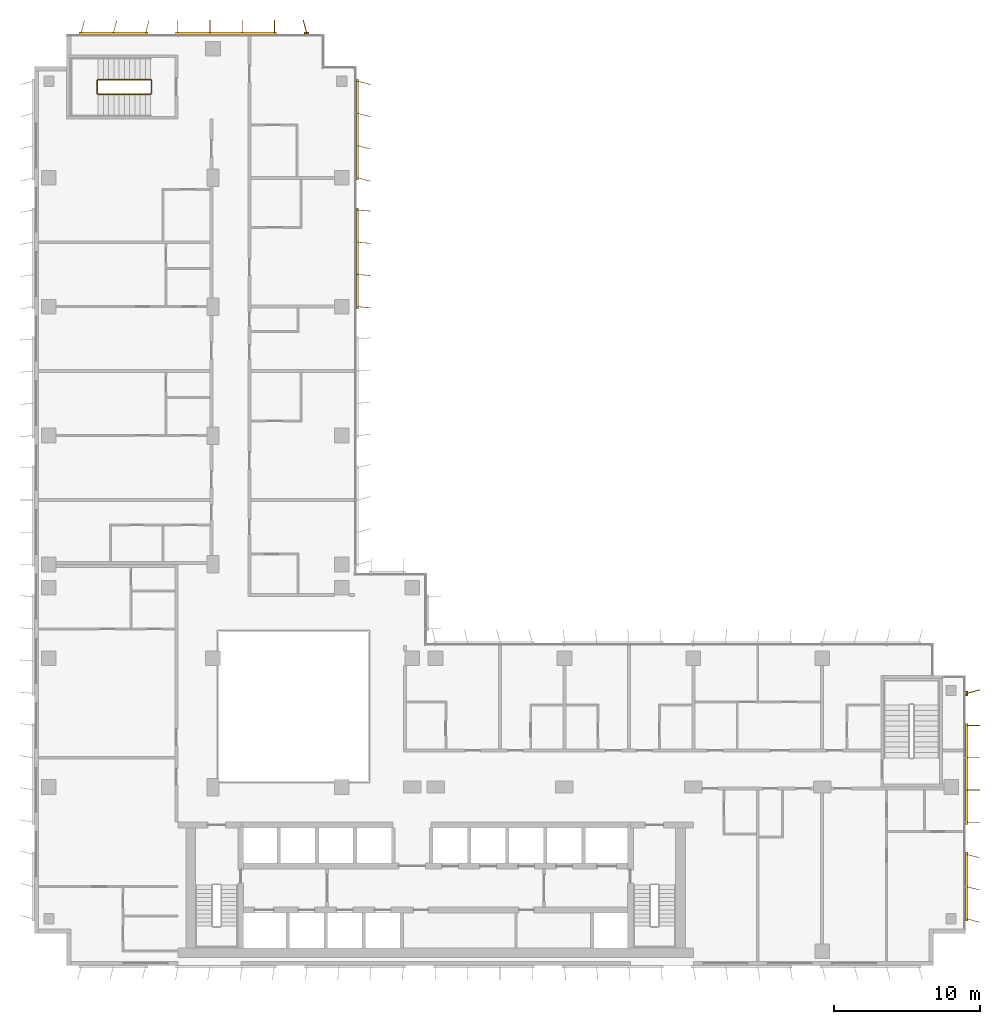
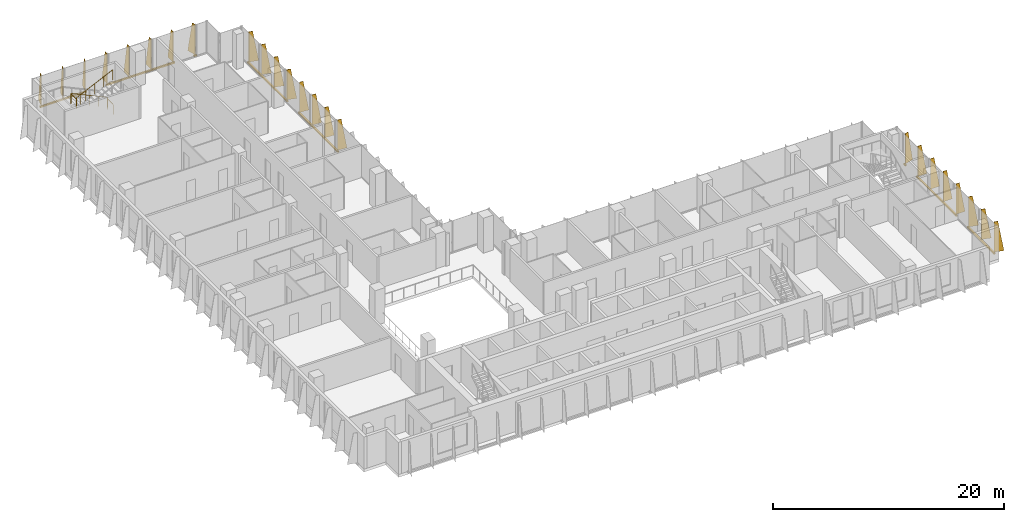
# One storey, part 21 of 21: 8 shading devices, 1 railing.
"""IFC4 building model written with IfcOpenShell, lengths in metres."""

from ifc_helpers import new_model, si_unit, direction, frame, origin, origin_2d, place, context, subcontext, project, spatial, polyline, rectangle, circle, outline, extrude, source, transform, mapped, material, layer, layer_set, type_object, element, save


model = new_model("IFC4")

# Units and contexts
model_context = context("Model", 3, precision=1e-05, world=origin(), true_north=direction((0.0, 1.0)))
body_context = subcontext(model_context, "Body", "Model", "MODEL_VIEW")
ifc_project = project(units=[si_unit("LENGTHUNIT", "METRE"), si_unit("AREAUNIT", "SQUARE_METRE"), si_unit("VOLUMEUNIT", "CUBIC_METRE"), si_unit("PLANEANGLEUNIT", "RADIAN"), si_unit("MASSUNIT", "GRAM", prefix="KILO")], contexts=[model_context])

# Site, building, storey
site_placement = place(None, origin())
site = spatial("IfcSite", under=ifc_project, at=site_placement, CompositionType="ELEMENT")
building_placement = place(site_placement, origin())
building = spatial("IfcBuilding", under=site, at=building_placement, Name="Kemantara Hotel Tower", CompositionType="ELEMENT")
storey_placement = place(building_placement, frame((0.0, 0.0, 208.0)))
storey = spatial("IfcBuildingStorey", under=building, at=storey_placement, Name="L51", CompositionType="ELEMENT", Elevation=208.0)

# Railing
ifc_material_1 = material(Name="Stainless steel balustrade", Category="steel")
railing_type = type_object("IfcRailingType", Name="Stair guard 1100 mm", PredefinedType="GUARDRAIL", material=ifc_material_1)
railing_placement = place(storey_placement, frame((7.949951171875, 59.5, 3.699951171875)))
element("IfcRailing", 1, at=railing_placement, inside=storey, type_object=railing_type, Name="L51 ST4 stair guard 1", PredefinedType="GUARDRAIL", context=body_context, shape_type="SweptSolid", body=[
    extrude(circle(Radius=0.02392578125, at=origin_2d()), frame((0.0, 0.0, 1.076171875), z_axis=(-0.905994681025, 0.0, -0.423289071386), x_axis=(0.0, -1.0, 0.0)), (0.0, 0.0, 1.0), 3.973388671875),
    extrude(circle(Radius=0.02392578125, at=origin_2d()), frame((-3.599853515625, 0.0, -0.60595703125), z_axis=(-0.274582412415, 0.274582412415, -0.921525364591), x_axis=(-0.707106781187, -0.707106781187, 0.0)), (0.0, 0.0, 1.0), 0.182373046875),
    extrude(circle(Radius=0.02392578125, at=origin_2d()), frame((-3.64990234375, 0.050048828125, -0.77392578125), z_axis=(0.0, 1.0, 0.0), x_axis=(-1.0, 0.0, 0.0)), (0.0, 0.0, 1.0), 0.89990234375),
    extrude(circle(Radius=0.02392578125, at=origin_2d()), frame((-3.64990234375, 0.949951171875, -0.77392578125), z_axis=(0.707106781187, 0.707106781187, 0.0), x_axis=(-0.707106781187, 0.707106781187, 0.0)), (0.0, 0.0, 1.0), 0.07080078125),
    extrude(circle(Radius=0.02392578125, at=origin_2d()), frame((-3.599853515625, 1.0, -0.77392578125), z_axis=(0.905994681025, 0.0, -0.423289071386), x_axis=(0.0, 1.0, 0.0)), (0.0, 0.0, 1.0), 3.973388671875),
    extrude(circle(Radius=0.02392578125, at=origin_2d()), frame((0.0, 1.0, -2.45556640625), z_axis=(0.274243871929, -0.274243871929, -0.92172696468), x_axis=(0.707106781187, 0.707106781187, 0.0)), (0.0, 0.0, 1.0), 0.1826171875),
    extrude(circle(Radius=0.02392578125, at=origin_2d()), frame((0.050048828125, 0.949951171875, -2.6240234375), z_axis=(0.0, -1.0, 0.0), x_axis=(1.0, 0.0, 0.0)), (0.0, 0.0, 1.0), 0.89990234375),
    extrude(circle(Radius=0.02099609375, at=origin_2d()), origin(), (0.0, 0.0, 1.0), 1.052001953125),
    extrude(circle(Radius=0.02099609375, at=origin_2d()), frame((-0.89990234375, 0.0, -0.42041015625)), (0.0, 0.0, 1.0), 1.052001953125),
    extrude(circle(Radius=0.02099609375, at=origin_2d()), frame((-1.7998046875, 0.0, -0.8408203125)), (0.0, 0.0, 1.0), 1.052001953125),
    extrude(circle(Radius=0.02099609375, at=origin_2d()), frame((-2.699951171875, 0.0, -1.261474609375)), (0.0, 0.0, 1.0), 1.052001953125),
    extrude(circle(Radius=0.02099609375, at=origin_2d()), frame((-3.599853515625, 0.0, -1.681884765625)), (0.0, 0.0, 1.0), 1.052001953125),
    extrude(circle(Radius=0.02099609375, at=origin_2d()), frame((-3.64990234375, 0.050048828125, -1.849853515625)), (0.0, 0.0, 1.0), 1.052001953125),
    extrude(circle(Radius=0.02099609375, at=origin_2d()), frame((-3.64990234375, 0.949951171875, -1.849853515625)), (0.0, 0.0, 1.0), 1.052001953125),
    extrude(circle(Radius=0.02099609375, at=origin_2d()), frame((-3.599853515625, 1.0, -1.849853515625)), (0.0, 0.0, 1.0), 1.052001953125),
    extrude(circle(Radius=0.02099609375, at=origin_2d()), frame((-2.699951171875, 1.0, -2.270263671875)), (0.0, 0.0, 1.0), 1.052001953125),
    extrude(circle(Radius=0.02099609375, at=origin_2d()), frame((-1.7998046875, 1.0, -2.69091796875)), (0.0, 0.0, 1.0), 1.052001953125),
    extrude(circle(Radius=0.02099609375, at=origin_2d()), frame((-0.89990234375, 1.0, -3.111328125)), (0.0, 0.0, 1.0), 1.052001953125),
    extrude(circle(Radius=0.02099609375, at=origin_2d()), frame((0.0, 1.0, -3.53173828125)), (0.0, 0.0, 1.0), 1.052001953125),
    extrude(circle(Radius=0.02099609375, at=origin_2d()), frame((0.050048828125, 0.949951171875, -3.699951171875)), (0.0, 0.0, 1.0), 1.052001953125),
    extrude(circle(Radius=0.02099609375, at=origin_2d()), frame((0.050048828125, 0.050048828125, -3.699951171875)), (0.0, 0.0, 1.0), 1.052001953125),
])

# Shading devices
ifc_material_2 = material(Name="Perforated aluminium plate 4 mm bronze anodised", Category="aluminium")
ifc_layer_1 = layer(ifc_material_2, 0.0400390625)
ifc_layer_set_1 = layer_set([ifc_layer_1], Name="Perforated aluminium plate 4 mm bronze anodised")
shading_device_type_1 = type_object("IfcShadingDeviceType", Name="SCREEN FIN CASSETTE, 3 BLADES AT -15.0 DEG, 3200 HIGH", PredefinedType="USERDEFINED", material=ifc_layer_set_1)
shared_shape_1 = source(origin(), body_context, "Body", "SweptSolid", [
    extrude(rectangle(XDim=4.699951171875, YDim=0.14990234375, at=origin_2d()), frame((2.199951171875, -0.074951171875, -0.14990234375), z_axis=(0.0, 0.0, 1.0), x_axis=(1.0, 0.0, 0.0)), (0.0, 0.0, 1.0), 0.14990234375),
    extrude(outline(polyline([(0.0, 0.0), (0.89990234375, 0.0), (0.35009765625, 3.199951171875), (0.0, 3.199951171875), (0.0, 0.0)])), frame((0.019287109375, -0.080078125, 0.0), z_axis=(-0.966437683387, 0.256901156343, 0.0), x_axis=(-0.256901156343, -0.966437683387, 0.0)), (0.0, 0.0, 1.0), 0.039794921875),
    extrude(outline(polyline([(0.0, 0.0), (0.89990234375, 0.0), (0.35009765625, 3.199951171875), (0.0, 3.199951171875), (0.0, 0.0)])), frame((2.21923828125, -0.080078125, 0.0), z_axis=(-0.966437683387, 0.256901156343, 0.0), x_axis=(-0.256901156343, -0.966437683387, 0.0)), (0.0, 0.0, 1.0), 0.039794921875),
    extrude(outline(polyline([(0.0, 0.0), (0.89990234375, 0.0), (0.35009765625, 3.199951171875), (0.0, 3.199951171875), (0.0, 0.0)])), frame((4.41943359375, -0.080078125, 0.0), z_axis=(-0.966837822169, 0.255391122837, 0.0), x_axis=(-0.255391122837, -0.966837822169, 0.0)), (0.0, 0.0, 1.0), 0.0400390625),
])
for number, where, z_axis, x_axis, name in (
    (2, (7.60009765625, 63.60009765625, 0.10009765625), (0.0, 0.0, 1.0), (-1.0, 0.0, 0.0), "SCREEN FIN CASSETTE L51 T3-R02-3"),
    (3, (63.60009765625, 3.199951171875, 0.10009765625), (0.0, 0.0, 1.0), (0.0, 1.0, 0.0), "SCREEN FIN CASSETTE L51 T3-R11-1"),
):
    element("IfcShadingDevice", number, at=place(storey_placement, frame(where, z_axis=z_axis, x_axis=x_axis)), inside=storey, type_object=shading_device_type_1, Name=name, ObjectType="SCREEN FIN", PredefinedType="USERDEFINED", context=body_context, shape_type="MappedRepresentation", body=[
        mapped(shared_shape_1, transform((0.0, 0.0, 0.0))),
    ])
ifc_layer_2 = layer(ifc_material_2, 0.0400390625)
ifc_layer_set_2 = layer_set([ifc_layer_2], Name="Perforated aluminium plate 4 mm bronze anodised")
shading_device_type_2 = type_object("IfcShadingDeviceType", Name="SCREEN FIN CASSETTE, 4 BLADES AT -5.0 DEG, 3200 HIGH", PredefinedType="USERDEFINED", material=ifc_layer_set_2)
shared_shape_2 = source(origin(), body_context, "Body", "SweptSolid", [
    extrude(rectangle(XDim=6.89990234375, YDim=0.14990234375, at=origin_2d()), frame((3.300048828125, -0.074951171875, -0.14990234375), z_axis=(0.0, 0.0, 1.0), x_axis=(1.0, 0.0, 0.0)), (0.0, 0.0, 1.0), 0.14990234375),
    extrude(outline(polyline([(0.0, 0.0), (0.89990234375, 0.0), (0.35009765625, 3.199951171875), (0.0, 3.199951171875), (0.0, 0.0)])), frame((0.02001953125, -0.07666015625, 0.0), z_axis=(-0.996376129781, 0.085056498884, 0.0), x_axis=(-0.085056498884, -0.996376129781, 0.0)), (0.0, 0.0, 1.0), 0.040283203125),
    extrude(outline(polyline([(0.0, 0.0), (0.89990234375, 0.0), (0.35009765625, 3.199951171875), (0.0, 3.199951171875), (0.0, 0.0)])), frame((2.219970703125, -0.07666015625, 0.0), z_axis=(-0.996331773833, 0.085574508182, 0.0), x_axis=(-0.085574508182, -0.996331773833, 0.0)), (0.0, 0.0, 1.0), 0.0400390625),
    extrude(outline(polyline([(0.0, 0.0), (0.89990234375, 0.0), (0.35009765625, 3.199951171875), (0.0, 3.199951171875), (0.0, 0.0)])), frame((4.419921875, -0.07666015625, 0.0), z_axis=(-0.996331773833, 0.085574508182, 0.0), x_axis=(-0.085574508182, -0.996331773833, 0.0)), (0.0, 0.0, 1.0), 0.0400390625),
    extrude(outline(polyline([(0.0, 0.0), (0.89990234375, 0.0), (0.35009765625, 3.199951171875), (0.0, 3.199951171875), (0.0, 0.0)])), frame((6.619873046875, -0.07666015625, 0.0), z_axis=(-0.996331773833, 0.085574508182, 0.0), x_axis=(-0.085574508182, -0.996331773833, 0.0)), (0.0, 0.0, 1.0), 0.0400390625),
])
shading_device_1_placement = place(storey_placement, frame((22.0, 45.0, 0.10009765625), z_axis=(0.0, 0.0, 1.0), x_axis=(0.0, 1.0, 0.0)))
element("IfcShadingDevice", 4, at=shading_device_1_placement, inside=storey, type_object=shading_device_type_2, Name="SCREEN FIN CASSETTE L51 T3-R17-3", ObjectType="SCREEN FIN", PredefinedType="USERDEFINED", context=body_context, shape_type="MappedRepresentation", body=[
    mapped(shared_shape_2, transform((0.0, 0.0, 0.0))),
])
ifc_layer_3 = layer(ifc_material_2, 0.0400390625)
ifc_layer_set_3 = layer_set([ifc_layer_3], Name="Perforated aluminium plate 4 mm bronze anodised")
shading_device_type_3 = type_object("IfcShadingDeviceType", Name="SCREEN FIN CASSETTE, 4 BLADES AT +0.0 DEG, 3200 HIGH", PredefinedType="USERDEFINED", material=ifc_layer_set_3)
shared_shape_3 = source(origin(), body_context, "Body", "SweptSolid", [
    extrude(rectangle(XDim=6.89990234375, YDim=0.14990234375, at=origin_2d()), frame((3.300048828125, -0.074951171875, -0.14990234375), z_axis=(0.0, 0.0, 1.0), x_axis=(1.0, 0.0, 0.0)), (0.0, 0.0, 1.0), 0.14990234375),
    extrude(outline(polyline([(0.0, 0.0), (0.89990234375, 0.0), (0.35009765625, 3.199951171875), (0.0, 3.199951171875), (0.0, 0.0)])), frame((0.02001953125, -0.074951171875, 0.0), z_axis=(-1.0, 0.0, 0.0), x_axis=(0.0, -1.0, 0.0)), (0.0, 0.0, 1.0), 0.0400390625),
    extrude(outline(polyline([(0.0, 0.0), (0.89990234375, 0.0), (0.35009765625, 3.199951171875), (0.0, 3.199951171875), (0.0, 0.0)])), frame((2.219970703125, -0.074951171875, 0.0), z_axis=(-1.0, 0.0, 0.0), x_axis=(0.0, -1.0, 0.0)), (0.0, 0.0, 1.0), 0.0400390625),
    extrude(outline(polyline([(0.0, 0.0), (0.89990234375, 0.0), (0.35009765625, 3.199951171875), (0.0, 3.199951171875), (0.0, 0.0)])), frame((4.419921875, -0.074951171875, 0.0), z_axis=(-1.0, 0.0, 0.0), x_axis=(0.0, -1.0, 0.0)), (0.0, 0.0, 1.0), 0.0400390625),
    extrude(outline(polyline([(0.0, 0.0), (0.89990234375, 0.0), (0.35009765625, 3.199951171875), (0.0, 3.199951171875), (0.0, 0.0)])), frame((6.6201171875, -0.074951171875, 0.0), z_axis=(-1.0, 0.0, 0.0), x_axis=(0.0, -1.0, 0.0)), (0.0, 0.0, 1.0), 0.0400390625),
])
for number, where, z_axis, x_axis, name in (
    (5, (16.39990234375, 63.60009765625, 0.10009765625), (0.0, 0.0, 1.0), (-1.0, 0.0, 0.0), "SCREEN FIN CASSETTE L51 T3-R02-2"),
    (6, (63.60009765625, 9.800048828125, 0.10009765625), (0.0, 0.0, 1.0), (0.0, 1.0, 0.0), "SCREEN FIN CASSETTE L51 T3-R11-2"),
):
    element("IfcShadingDevice", number, at=place(storey_placement, frame(where, z_axis=z_axis, x_axis=x_axis)), inside=storey, type_object=shading_device_type_3, Name=name, ObjectType="SCREEN FIN", PredefinedType="USERDEFINED", context=body_context, shape_type="MappedRepresentation", body=[
        mapped(shared_shape_3, transform((0.0, 0.0, 0.0))),
    ])
ifc_layer_4 = layer(ifc_material_2, 0.0400390625)
ifc_layer_set_4 = layer_set([ifc_layer_4], Name="Perforated aluminium plate 4 mm bronze anodised")
shading_device_type_4 = type_object("IfcShadingDeviceType", Name="SCREEN FIN CASSETTE, 4 BLADES AT -15.0 DEG, 3200 HIGH", PredefinedType="USERDEFINED", material=ifc_layer_set_4)
shared_shape_4 = source(origin(), body_context, "Body", "SweptSolid", [
    extrude(rectangle(XDim=6.89990234375, YDim=0.14990234375, at=origin_2d()), frame((3.300048828125, -0.074951171875, -0.14990234375), z_axis=(0.0, 0.0, 1.0), x_axis=(1.0, 0.0, 0.0)), (0.0, 0.0, 1.0), 0.14990234375),
    extrude(outline(polyline([(0.0, 0.0), (0.89990234375, 0.0), (0.35009765625, 3.199951171875), (0.0, 3.199951171875), (0.0, 0.0)])), frame((0.019287109375, -0.080078125, 0.0), z_axis=(-0.966437683387, 0.256901156343, 0.0), x_axis=(-0.256901156343, -0.966437683387, 0.0)), (0.0, 0.0, 1.0), 0.039794921875),
    extrude(outline(polyline([(0.0, 0.0), (0.89990234375, 0.0), (0.35009765625, 3.199951171875), (0.0, 3.199951171875), (0.0, 0.0)])), frame((2.21923828125, -0.080078125, 0.0), z_axis=(-0.966437683387, 0.256901156343, 0.0), x_axis=(-0.256901156343, -0.966437683387, 0.0)), (0.0, 0.0, 1.0), 0.039794921875),
    extrude(outline(polyline([(0.0, 0.0), (0.89990234375, 0.0), (0.35009765625, 3.199951171875), (0.0, 3.199951171875), (0.0, 0.0)])), frame((4.41943359375, -0.080078125, 0.0), z_axis=(-0.966837822169, 0.255391122837, 0.0), x_axis=(-0.255391122837, -0.966837822169, 0.0)), (0.0, 0.0, 1.0), 0.0400390625),
    extrude(outline(polyline([(0.0, 0.0), (0.89990234375, 0.0), (0.35009765625, 3.199951171875), (0.0, 3.199951171875), (0.0, 0.0)])), frame((6.619384765625, -0.080078125, 0.0), z_axis=(-0.966837822169, 0.255391122837, 0.0), x_axis=(-0.255391122837, -0.966837822169, 0.0)), (0.0, 0.0, 1.0), 0.0400390625),
])
shading_device_2_placement = place(storey_placement, frame((22.0, 53.800048828125, 0.10009765625), z_axis=(0.0, 0.0, 1.0), x_axis=(0.0, 1.0, 0.0)))
element("IfcShadingDevice", 7, at=shading_device_2_placement, inside=storey, type_object=shading_device_type_4, Name="SCREEN FIN CASSETTE L51 T3-R17-4", ObjectType="SCREEN FIN", PredefinedType="USERDEFINED", context=body_context, shape_type="MappedRepresentation", body=[
    mapped(shared_shape_4, transform((0.0, 0.0, 0.0))),
])
ifc_layer_5 = layer(ifc_material_2, 0.0400390625)
ifc_layer_set_5 = layer_set([ifc_layer_5], Name="Perforated aluminium plate 4 mm bronze anodised")
shading_device_type_5 = type_object("IfcShadingDeviceType", Name="SCREEN FIN CASSETTE, 1 BLADE AT +15.0 DEG, 3200 HIGH", PredefinedType="USERDEFINED", material=ifc_layer_set_5)
shared_shape_5 = source(origin(), body_context, "Body", "SweptSolid", [
    extrude(rectangle(XDim=0.300048828125, YDim=0.14990234375, at=origin_2d()), frame((0.0, -0.074951171875, -0.14990234375), z_axis=(0.0, 0.0, 1.0), x_axis=(1.0, 0.0, 0.0)), (0.0, 0.0, 1.0), 0.14990234375),
    extrude(outline(polyline([(0.0, 0.0), (0.89990234375, 0.0), (0.35009765625, 3.199951171875), (0.0, 3.199951171875), (0.0, 0.0)])), frame((0.019287109375, -0.06982421875, 0.0), z_axis=(-0.966437683387, -0.256901156343, 0.0), x_axis=(0.256901156343, -0.966437683387, 0.0)), (0.0, 0.0, 1.0), 0.039794921875),
])
for number, where, z_axis, x_axis, name in (
    (8, (18.60009765625, 63.60009765625, 0.10009765625), (0.0, 0.0, 1.0), (-1.0, 0.0, 0.0), "SCREEN FIN CASSETTE L51 T3-R02-1"),
    (9, (63.60009765625, 18.60009765625, 0.10009765625), (0.0, 0.0, 1.0), (0.0, 1.0, 0.0), "SCREEN FIN CASSETTE L51 T3-R11-3"),
):
    element("IfcShadingDevice", number, at=place(storey_placement, frame(where, z_axis=z_axis, x_axis=x_axis)), inside=storey, type_object=shading_device_type_5, Name=name, ObjectType="SCREEN FIN", PredefinedType="USERDEFINED", context=body_context, shape_type="MappedRepresentation", body=[
        mapped(shared_shape_5, transform((0.0, 0.0, 0.0))),
    ])

save(model, "model.ifc")
